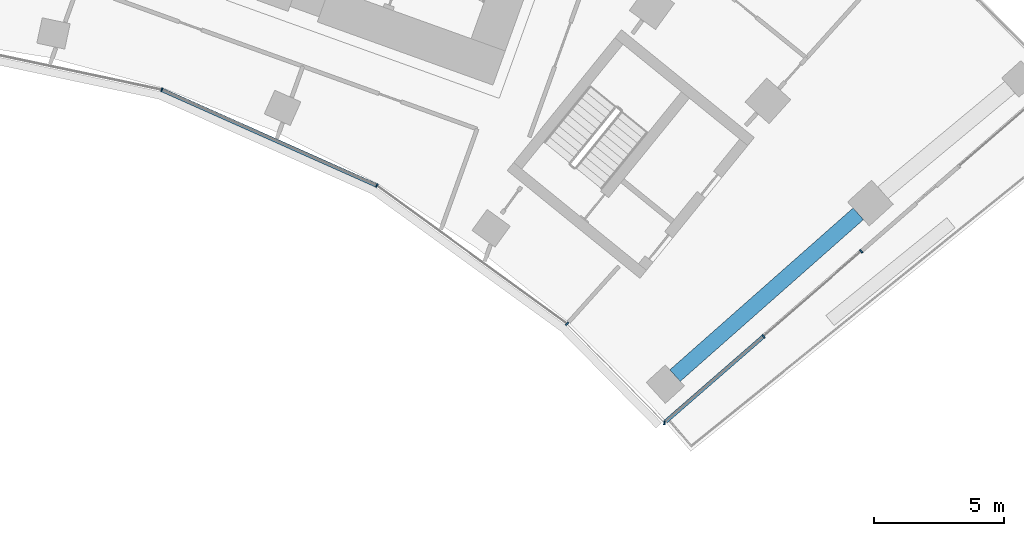
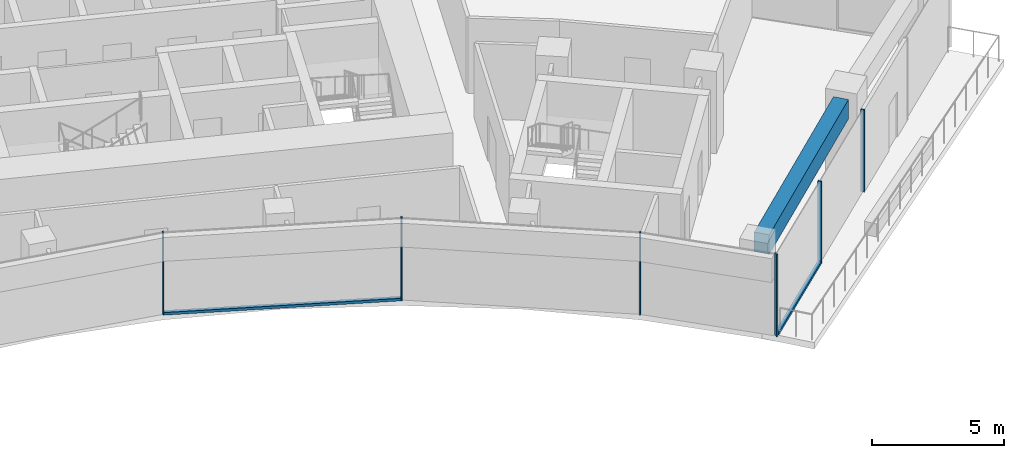
# One storey, part 8 of 20: 8 members, 1 beam, 2 elements without a shape of their own.
"""IFC4 building model written with IfcOpenShell, lengths in metres."""

import ifcopenshell
import ifcopenshell.guid

model = None  # the IFC model being written
_history = None  # IfcOwnerHistory: only IFC2X3 demands one
_inside = {}  # id of a spatial element -> (the spatial element, [elements in it])
_under = {}  # id of a project, library or spatial element -> (it, [spatial elements below it])
_declared = {}  # id of a project -> (the project, [libraries it declares])
_typed = {}  # id of a type object -> (the type object, [elements of that type])
_made_of = {}  # id of a material, layer set ... -> (it, [elements and type objects made of it])


def new_model(schema):
    """Start an empty IFC model of exactly this schema.

    Asked for "IFC4X3", IfcOpenShell would pick the latest addendum, in which some entities
    have other attributes; the version numbers below select the first issue.
    IFC2X3 requires an IfcOwnerHistory on every rooted entity: one is made here for all.
    """
    global model, _history
    if schema == "IFC4X3":
        model = ifcopenshell.file(schema_version=(4, 3, 0, 0))
    else:
        model = ifcopenshell.file(schema=schema)
    _inside.clear()
    _under.clear()
    _declared.clear()
    _typed.clear()
    _made_of.clear()
    _history = None
    if model.schema == "IFC2X3":
        org = make("IfcOrganization", Name="unknown")
        user = make(
            "IfcPersonAndOrganization",
            ThePerson=make("IfcPerson", FamilyName="unknown"),
            TheOrganization=org,
        )
        app = make(
            "IfcApplication",
            ApplicationDeveloper=org,
            Version="unknown",
            ApplicationFullName="unknown",
            ApplicationIdentifier="unknown",
        )
        _history = make(
            "IfcOwnerHistory",
            OwningUser=user,
            OwningApplication=app,
            ChangeAction="ADDED",
            CreationDate=0,
        )
    return model


def make(cls, **values):
    """One entity of the class cls with the attributes given. An attribute that is None is left unset."""
    return model.create_entity(
        cls, **{name: value for name, value in values.items() if value is not None}
    )


def rooted(cls, **values):
    """An entity with a GlobalId (a new one), such as an element, a storey or a relation."""
    return make(cls, GlobalId=ifcopenshell.guid.new(), OwnerHistory=_history, **values)


def si_unit(unit_type, name, prefix=None):
    """IfcSIUnit, for example si_unit("LENGTHUNIT", "METRE", prefix="MILLI")."""
    return make("IfcSIUnit", UnitType=unit_type, Prefix=prefix, Name=name)


def assignment(units):
    """IfcUnitAssignment: the units of a project."""
    return None if units is None else make("IfcUnitAssignment", Units=units)


def point(xyz):
    """IfcCartesianPoint."""
    return None if xyz is None else make("IfcCartesianPoint", Coordinates=xyz)


def direction(xyz):
    """IfcDirection."""
    return None if xyz is None else make("IfcDirection", DirectionRatios=xyz)


def frame(location, z_axis=None, x_axis=None):
    """IfcAxis2Placement3D, a coordinate frame: its origin and axes. An axis left out is left unset."""
    return make(
        "IfcAxis2Placement3D",
        Location=point(location),
        Axis=direction(z_axis),
        RefDirection=direction(x_axis),
    )


def frame_2d(location, x_axis=None):
    """IfcAxis2Placement2D, a coordinate frame in the plane: its origin and x axis."""
    return make(
        "IfcAxis2Placement2D", Location=point(location), RefDirection=direction(x_axis)
    )


def origin():
    """The frame at (0, 0, 0) with its axes left unset."""
    return frame((0.0, 0.0, 0.0))


def origin_2d():
    """The frame at (0, 0) in the plane with its x axis left unset."""
    return frame_2d((0.0, 0.0))


def place(relative_to, where):
    """IfcLocalPlacement: puts the frame where relative to a parent placement (None: the world)."""
    return make(
        "IfcLocalPlacement", PlacementRelTo=relative_to, RelativePlacement=where
    )


def context(
    kind, dimensions, precision=None, world=None, true_north=None, identifier=None
):
    """IfcGeometricRepresentationContext, for example the 3D "Model" context."""
    return make(
        "IfcGeometricRepresentationContext",
        ContextIdentifier=identifier,
        ContextType=kind,
        CoordinateSpaceDimension=dimensions,
        Precision=precision,
        WorldCoordinateSystem=world,
        TrueNorth=true_north,
    )


def subcontext(parent, identifier, kind, view, scale=None):
    """IfcGeometricRepresentationSubContext, for example "Body" below "Model"."""
    return make(
        "IfcGeometricRepresentationSubContext",
        ContextIdentifier=identifier,
        ContextType=kind,
        ParentContext=parent,
        TargetScale=scale,
        TargetView=view,
    )


def project(units=None, contexts=None):
    """IfcProject with its units and contexts."""
    return rooted(
        "IfcProject",
        Name="project",
        RepresentationContexts=contexts,
        UnitsInContext=assignment(units),
    )


def spatial(cls, under=None, at=None, **own):
    """A site, building, storey or space (cls), placed at a placement, below another one or the project."""
    s = rooted(cls, ObjectPlacement=at, **own)
    if under is not None:
        _under.setdefault(under.id(), (under, []))[1].append(s)
    return s


def profile(cls, at=None, kind="AREA", **sizes):
    """A parametric profile (cls). Its sizes go by their IFC names, for example OverallWidth=200.0."""
    return make(cls, ProfileType=kind, Position=at, **sizes)


def rectangle(**sizes):
    """IfcRectangleProfileDef."""
    return profile("IfcRectangleProfileDef", **sizes)


def extrude(swept, where, along, depth):
    """IfcExtrudedAreaSolid: the profile swept, set in the frame where, extruded along a direction by depth."""
    return make(
        "IfcExtrudedAreaSolid",
        SweptArea=swept,
        Position=where,
        ExtrudedDirection=direction(along),
        Depth=depth,
    )


def shape(context_of_items, identifier, shape_type, items):
    """IfcShapeRepresentation: the items that make up one representation, for example the "Body"."""
    return make(
        "IfcShapeRepresentation",
        ContextOfItems=context_of_items,
        RepresentationIdentifier=identifier,
        RepresentationType=shape_type,
        Items=items,
    )


def material(Name=None, Category=None):
    """IfcMaterial."""
    return make("IfcMaterial", Name=Name, Category=Category)


def layer(
    of_material, thickness, ventilated=None, Name=None, Category=None, Priority=None
):
    """IfcMaterialLayer: one layer of a wall or slab, of a material (None: an air gap)."""
    return make(
        "IfcMaterialLayer",
        Material=of_material,
        LayerThickness=thickness,
        IsVentilated=ventilated,
        Name=Name,
        Category=Category,
        Priority=Priority,
    )


def layer_set(layers, Name=None):
    """IfcMaterialLayerSet."""
    return make("IfcMaterialLayerSet", MaterialLayers=layers, LayerSetName=Name)


def material_profile(
    of_material, cross_section, Name=None, Category=None, Priority=None
):
    """IfcMaterialProfile: a cross section and its material."""
    return make(
        "IfcMaterialProfile",
        Name=Name,
        Material=of_material,
        Profile=cross_section,
        Priority=Priority,
        Category=Category,
    )


def profile_set(profiles, Name=None, composite=None):
    """IfcMaterialProfileSet."""
    return make(
        "IfcMaterialProfileSet",
        Name=Name,
        MaterialProfiles=profiles,
        CompositeProfile=composite,
    )


def made_of(thing, what):
    """Note that an element or type object is made of a material, layer set ...; save() writes the relation."""
    if what is not None:
        _made_of.setdefault(what.id(), (what, []))[1].append(thing)
    return thing


def type_object(cls, material=None, **own):
    """A type object (cls), such as IfcWallType, which elements share."""
    return made_of(rooted(cls, **own), material)


def element(
    cls,
    number,
    at=None,
    inside=None,
    cuts=None,
    type_object=None,
    material=None,
    context=None,
    identifier="Body",
    shape_type=None,
    held_by="IfcProductDefinitionShape",
    body=None,
    shapes=None,
    **own,
):
    """One element of the class cls, such as IfcWall. Its Tag is "e" and its number.

    at: its placement. inside: the storey or other place that contains it. cuts: it is an
    opening in that element (IfcRelVoidsElement). A single representation is given by context,
    identifier, shape_type and body (its items); several are given by shapes. held_by: the class
    of the entity that holds the representations. save() writes the other relations.
    """
    e = rooted(cls, Tag="e%d" % number, ObjectPlacement=at, **own)
    if body is not None:
        shapes = [shape(context, identifier, shape_type, body)]
    if shapes is not None:
        e.Representation = make(held_by, Representations=shapes)
    if inside is not None:
        _inside.setdefault(inside.id(), (inside, []))[1].append(e)
    if cuts is not None:
        rooted(
            "IfcRelVoidsElement", RelatingBuildingElement=cuts, RelatedOpeningElement=e
        )
    if type_object is not None:
        _typed.setdefault(type_object.id(), (type_object, []))[1].append(e)
    return made_of(e, material)


def aggregate(whole, parts):
    """IfcRelAggregates: a whole, such as a stair, and the parts it consists of."""
    return rooted("IfcRelAggregates", RelatingObject=whole, RelatedObjects=parts)


def save(model, path):
    """Write the relations noted so far, then the file.

    IfcRelAggregates (storeys below a building ...), IfcRelContainedInSpatialStructure (elements
    in a storey), IfcRelDefinesByType, IfcRelAssociatesMaterial and IfcRelDeclares: one each for
    every whole, place, type object, material and project.
    """
    for whole, parts in _under.values():
        aggregate(whole, parts)
    for where, things in _inside.values():
        rooted(
            "IfcRelContainedInSpatialStructure",
            RelatedElements=things,
            RelatingStructure=where,
        )
    for kind, things in _typed.values():
        rooted("IfcRelDefinesByType", RelatedObjects=things, RelatingType=kind)
    for what, things in _made_of.values():
        rooted("IfcRelAssociatesMaterial", RelatedObjects=things, RelatingMaterial=what)
    for by, libraries in _declared.values():
        rooted("IfcRelDeclares", RelatingContext=by, RelatedDefinitions=libraries)
    model.write(path)


model = new_model("IFC4")

# Units and contexts
model_context = context("Model", 3, precision=1e-05, world=origin(), true_north=direction((0.0, 1.0)))
body_context = subcontext(model_context, "Body", "Model", "MODEL_VIEW")
ifc_project = project(units=[si_unit("LENGTHUNIT", "METRE"), si_unit("AREAUNIT", "SQUARE_METRE"), si_unit("VOLUMEUNIT", "CUBIC_METRE"), si_unit("PLANEANGLEUNIT", "RADIAN"), si_unit("MASSUNIT", "GRAM", prefix="KILO")], contexts=[model_context])

# Site, building, storey
site_placement = place(None, origin())
site = spatial("IfcSite", under=ifc_project, at=site_placement, CompositionType="ELEMENT")
building_placement = place(site_placement, origin())
building = spatial("IfcBuilding", under=site, at=building_placement, Name="Stone Belt Terrace Tower", CompositionType="ELEMENT")
storey_placement = place(building_placement, frame((0.0, 0.0, 170.60009765625)))
storey = spatial("IfcBuildingStorey", under=building, at=storey_placement, Name="L41", CompositionType="ELEMENT", Elevation=170.60009765625)

# Curtain wall, members
ifc_material_1 = material(Name="Aluminium 6063-T6 anodised frame", Category="aluminium")
ifc_layer_1 = layer(ifc_material_1, 0.14990234375)
ifc_layer_set_1 = layer_set([ifc_layer_1], Name="CW-B unitised concave-face curtain wall")
curtain_wall_type_1 = type_object("IfcCurtainWallType", Name="CW-B unitised concave-face curtain wall", PredefinedType="NOTDEFINED", material=ifc_layer_set_1)
curtain_wall_1_placement = place(storey_placement, origin())
curtain_wall_1 = element("IfcCurtainWall", 1, at=curtain_wall_1_placement, inside=storey, type_object=curtain_wall_type_1, Name="CW-B concave face L41", PredefinedType="NOTDEFINED")
ifc_material_profile_1 = material_profile(ifc_material_1, rectangle(XDim=0.14990234375, YDim=0.050048828125, at=origin_2d()), Name="Aluminium 6063-T6 50x150")
ifc_profile_set_1 = profile_set([ifc_material_profile_1], Name="Aluminium 6063-T6 anodised frame")
member_type_1 = type_object("IfcMemberType", Name="CW-B mullion 50 x 150", PredefinedType="MULLION", material=ifc_profile_set_1)
member_1_placement = place(storey_placement, frame((13.4189453125, 41.29931640625, 0.0), z_axis=(0.0, 0.0, 1.0), x_axis=(0.309016994375, 0.951056516295, 0.0)))
member_1 = element("IfcMember", 2, at=member_1_placement, type_object=member_type_1, Name="CW-B mullion 7", PredefinedType="MULLION", context=body_context, shape_type="SweptSolid", body=[
    extrude(rectangle(XDim=0.14990234375, YDim=0.050048828125, at=origin_2d()), origin(), (0.0, 0.0, 1.0), 3.7998046875),
])
member_2_placement = place(storey_placement, frame((21.71240234375, 37.606689453125, 0.0), z_axis=(0.0, 0.0, 1.0), x_axis=(0.5, 0.866025403784, 0.0)))
member_2 = element("IfcMember", 3, at=member_2_placement, type_object=member_type_1, Name="CW-B mullion 8", PredefinedType="MULLION", context=body_context, shape_type="SweptSolid", body=[
    extrude(rectangle(XDim=0.14990234375, YDim=0.050048828125, at=origin_2d()), origin(), (0.0, 0.0, 1.0), 3.7998046875),
])
member_3_placement = place(storey_placement, frame((29.05810546875, 32.269775390625, 0.0), z_axis=(0.0, 0.0, 1.0), x_axis=(0.652633631779, 0.757673638627, 0.0)))
member_3 = element("IfcMember", 4, at=member_3_placement, type_object=member_type_1, Name="CW-B mullion 9", PredefinedType="MULLION", context=body_context, shape_type="SweptSolid", body=[
    extrude(rectangle(XDim=0.14990234375, YDim=0.050048828125, at=origin_2d()), origin(), (0.0, 0.0, 1.0), 3.7998046875),
])
ifc_material_profile_2 = material_profile(ifc_material_1, rectangle(XDim=0.14990234375, YDim=0.1201171875, at=origin_2d()), Name="Aluminium 6063-T6 150x120")
ifc_profile_set_2 = profile_set([ifc_material_profile_2], Name="Aluminium 6063-T6 anodised frame")
member_type_2 = type_object("IfcMemberType", Name="CW-B transom 120 x 150", PredefinedType="USERDEFINED", material=ifc_profile_set_2)
member_4_placement = place(storey_placement, frame((13.44873046875, 41.285888671875, 0.059814453125), z_axis=(0.913548853737, -0.406729015237, 0.0), x_axis=(0.406729015237, 0.913548853737, 0.0)))
member_4 = element("IfcMember", 5, at=member_4_placement, type_object=member_type_2, Name="CW-B transom 7.1", ObjectType="TRANSOM", PredefinedType="USERDEFINED", context=body_context, shape_type="SweptSolid", body=[
    extrude(rectangle(XDim=0.14990234375, YDim=0.1201171875, at=origin_2d()), origin(), (0.0, 0.0, 1.0), 9.0126953125),
])
aggregate(curtain_wall_1, [member_1, member_2, member_3, member_4])

ifc_layer_2 = layer(ifc_material_1, 0.14990234375)
ifc_layer_set_2 = layer_set([ifc_layer_2], Name="CW-C stick curtain wall, horn ends and notches")
curtain_wall_type_2 = type_object("IfcCurtainWallType", Name="CW-C stick curtain wall, horn ends and notches", PredefinedType="NOTDEFINED", material=ifc_layer_set_2)
curtain_wall_2_placement = place(storey_placement, origin())
curtain_wall_2 = element("IfcCurtainWall", 6, at=curtain_wall_2_placement, inside=storey, type_object=curtain_wall_type_2, Name="CW-C end face L41", PredefinedType="NOTDEFINED")
ifc_material_profile_3 = material_profile(ifc_material_1, rectangle(XDim=0.14990234375, YDim=0.06005859375, at=origin_2d()), Name="Aluminium 6063-T6 60x150")
ifc_profile_set_3 = profile_set([ifc_material_profile_3], Name="Aluminium 6063-T6 anodised frame")
member_type_3 = type_object("IfcMemberType", Name="CW-C mullion 60 x 150", PredefinedType="MULLION", material=ifc_profile_set_3)
member_5_placement = place(storey_placement, frame((32.806884765625, 28.45751953125, 0.0), z_axis=(0.0, 0.0, 1.0), x_axis=(0.038760786717, 0.999248518344, 0.0)))
member_5 = element("IfcMember", 7, at=member_5_placement, type_object=member_type_3, Name="CW-C mullion 1", PredefinedType="MULLION", context=body_context, shape_type="SweptSolid", body=[
    extrude(rectangle(XDim=0.14990234375, YDim=0.06005859375, at=origin_2d()), origin(), (0.0, 0.0, 1.0), 3.7998046875),
])
member_6_placement = place(storey_placement, frame((36.63134765625, 31.78662109375, 0.0), z_axis=(0.0, 0.0, 1.0), x_axis=(-0.65656142871, 0.754272557058, 0.0)))
member_6 = element("IfcMember", 8, at=member_6_placement, type_object=member_type_3, Name="CW-C mullion 2", PredefinedType="MULLION", context=body_context, shape_type="SweptSolid", body=[
    extrude(rectangle(XDim=0.14990234375, YDim=0.06005859375, at=origin_2d()), origin(), (0.0, 0.0, 1.0), 3.7998046875),
])
member_7_placement = place(storey_placement, frame((40.40283203125, 35.069580078125, 0.0), z_axis=(0.0, 0.0, 1.0), x_axis=(-0.65656142871, 0.754272557058, 0.0)))
member_7 = element("IfcMember", 9, at=member_7_placement, type_object=member_type_3, Name="CW-C mullion 3", PredefinedType="MULLION", context=body_context, shape_type="SweptSolid", body=[
    extrude(rectangle(XDim=0.14990234375, YDim=0.06005859375, at=origin_2d()), origin(), (0.0, 0.0, 1.0), 3.7998046875),
])
ifc_material_profile_4 = material_profile(ifc_material_1, rectangle(XDim=0.14990234375, YDim=0.1201171875, at=origin_2d()), Name="Aluminium 6063-T6 150x120")
ifc_profile_set_4 = profile_set([ifc_material_profile_4], Name="Aluminium 6063-T6 anodised frame")
member_type_4 = type_object("IfcMemberType", Name="CW-C transom 120 x 150", PredefinedType="USERDEFINED", material=ifc_profile_set_4)
member_8_placement = place(storey_placement, frame((32.862060546875, 28.505615234375, 0.059814453125), z_axis=(0.75429435243, 0.656536388856, 0.0), x_axis=(-0.656536388856, 0.75429435243, 0.0)))
member_8 = element("IfcMember", 10, at=member_8_placement, type_object=member_type_4, Name="CW-C transom 1.1", ObjectType="TRANSOM", PredefinedType="USERDEFINED", context=body_context, shape_type="SweptSolid", body=[
    extrude(rectangle(XDim=0.14990234375, YDim=0.1201171875, at=origin_2d()), origin(), (0.0, 0.0, 1.0), 4.96728515625),
])
aggregate(curtain_wall_2, [member_5, member_6, member_7, member_8])

# Beam
ifc_material_2 = material(Name="Concrete B60", Category="concrete")
ifc_material_profile_5 = material_profile(ifc_material_2, rectangle(XDim=0.60009765625, YDim=0.89990234375, at=origin_2d()), Name="RC 600x900")
ifc_profile_set_5 = profile_set([ifc_material_profile_5], Name="Concrete B60")
beam_type = type_object("IfcBeamType", Name="Edge beam RC 600x900 B60", PredefinedType="SPANDREL", material=ifc_profile_set_5)
beam_placement = place(storey_placement, frame((33.219970703125, 30.2734375, 3.02978515625), z_axis=(0.749586233155, 0.661906699667, 0.0), x_axis=(-0.661906699667, 0.749586233155, 0.0)))
element("IfcBeam", 11, at=beam_placement, inside=storey, type_object=beam_type, Name="Edge beam L41 B P to Q", PredefinedType="SPANDREL", context=body_context, shape_type="SweptSolid", body=[
    extrude(rectangle(XDim=0.60009765625, YDim=0.89990234375, at=origin_2d()), origin(), (0.0, 0.0, 1.0), 9.430908203125),
])

save(model, "model.ifc")
